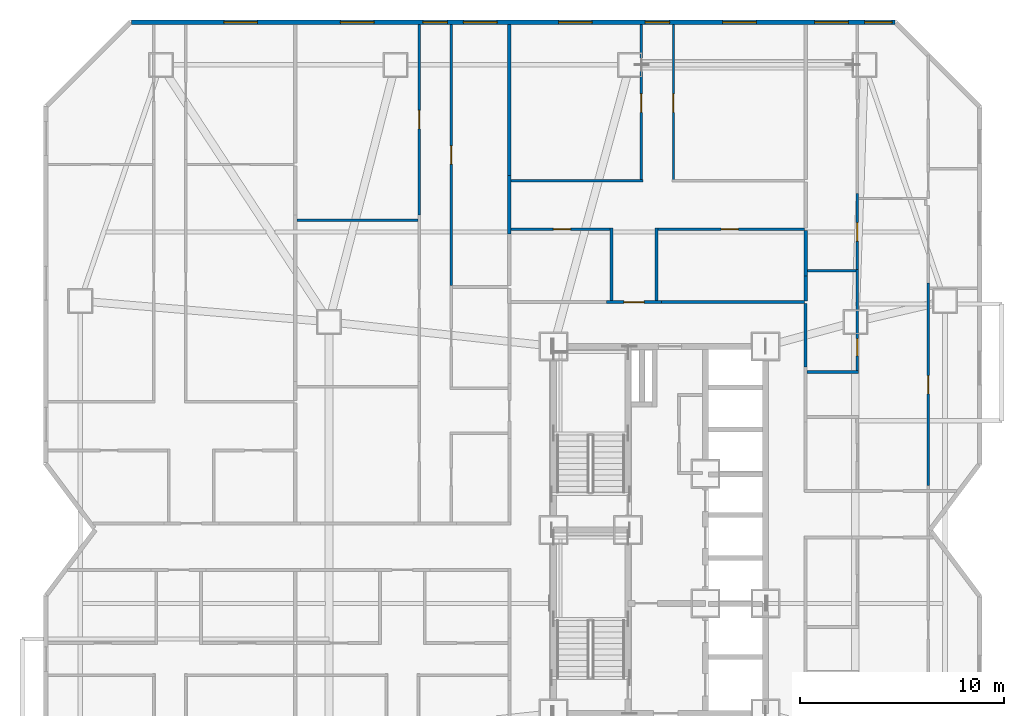
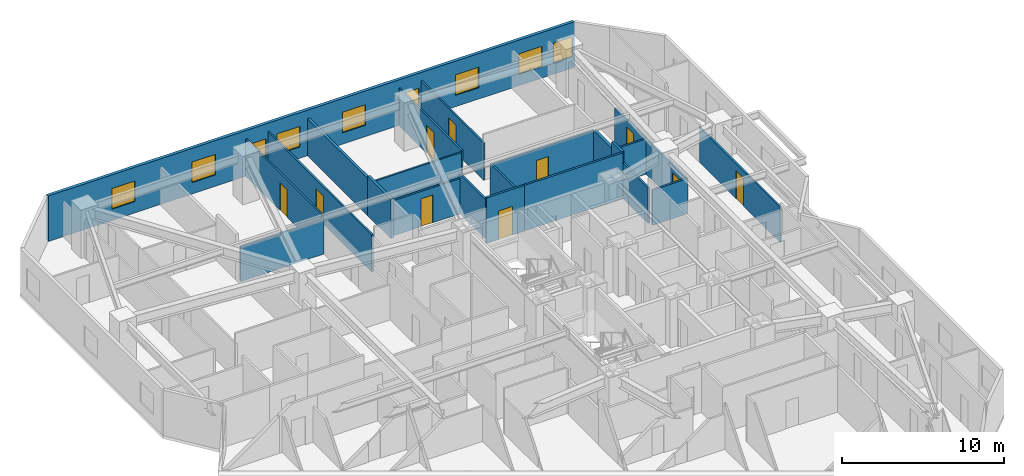
# One storey, part 12 of 14: 23 walls, 10 doors, 9 windows, 19 openings.
"""IFC4 building model written with IfcOpenShell, lengths in metres."""

from ifc_helpers import new_model, si_unit, direction, frame, frame_2d, origin, place, context, subcontext, project, spatial, rectangle, extrude, material, layer, layer_set, type_object, element, fill, save


model = new_model("IFC4")

# Units and contexts
model_context = context("Model", 3, precision=1e-05, world=origin(), true_north=direction((0.0, 1.0)))
body_context = subcontext(model_context, "Body", "Model", "MODEL_VIEW")
ifc_project = project(units=[si_unit("LENGTHUNIT", "METRE"), si_unit("AREAUNIT", "SQUARE_METRE"), si_unit("VOLUMEUNIT", "CUBIC_METRE"), si_unit("PLANEANGLEUNIT", "RADIAN"), si_unit("MASSUNIT", "GRAM", prefix="KILO")], contexts=[model_context])

# Site, building, storey
site_placement = place(None, origin())
site = spatial("IfcSite", under=ifc_project, at=site_placement, CompositionType="ELEMENT")
building_placement = place(site_placement, origin())
building = spatial("IfcBuilding", under=site, at=building_placement, Name="Khamvora Tower", CompositionType="ELEMENT")
storey_placement = place(building_placement, frame((0.0, 0.0, 40.60009765625)))
storey = spatial("IfcBuildingStorey", under=building, at=storey_placement, Name="L09", CompositionType="ELEMENT", Elevation=40.60009765625)

# Wall, opening, door
ifc_material_1 = material(Name="Fire-Rated Drywall and Steel Stud", Category="steel")
ifc_layer_1 = layer(ifc_material_1, 0.14990234375)
ifc_layer_set_1 = layer_set([ifc_layer_1], Name="Fire-Rated Drywall and Steel Stud")
wall_type_1 = type_object("IfcWallType", Name="WAL-CORR-150", PredefinedType="STANDARD", material=ifc_layer_set_1)
wall_1_placement = place(storey_placement, frame((31.60107421875, 39.1650390625, 0.0), z_axis=(0.0, 0.0, 1.0), x_axis=(1.0, 0.0, 0.0)))
wall_1 = element("IfcWall", 1, at=wall_1_placement, inside=storey, type_object=wall_type_1, Name="L09 interior partition wall 025", PredefinedType="STANDARD", context=body_context, shape_type="SweptSolid", body=[
    extrude(rectangle(XDim=2.697998046875, YDim=0.14990234375, at=frame_2d((1.34912109375, 0.0))), origin(), (0.0, 0.0, 1.0), 3.429931640625),
])
opening_1_placement = place(wall_1_placement, frame((0.84912109375, 0.0, 0.0)))
opening_1 = element("IfcOpeningElement", 2, at=opening_1_placement, cuts=wall_1, Name="Opening D-U1", PredefinedType="OPENING", context=body_context, shape_type="SweptSolid", body=[
    extrude(rectangle(XDim=1.0, YDim=2.14990234375, at=frame_2d((0.5, 1.074951171875))), frame((0.0, 0.0849609375, 0.0), z_axis=(0.0, -1.0, 0.0), x_axis=(1.0, 0.0, 0.0)), (0.0, 0.0, 1.0), 0.169921875),
])
ifc_material_2 = material(Name="Powder-Coated Steel and Hardwood Leaf", Category="steel")
door_type_1 = type_object("IfcDoorType", Name="DOR-UNIT-1000", OperationType="NOTDEFINED", PredefinedType="DOOR", material=ifc_material_2)
door_1_placement = place(opening_1_placement, origin())
door_1 = element("IfcDoor", 3, at=door_1_placement, inside=storey, type_object=door_type_1, Name="L09 interior door COR-09NAH", OperationType="SINGLE_SWING_LEFT", OverallHeight=2.14990234375, OverallWidth=1.0, PredefinedType="DOOR", context=body_context, shape_type="SweptSolid", body=[
    extrude(rectangle(XDim=1.0, YDim=2.14990234375, at=frame_2d((0.5, 1.074951171875))), frame((0.0, 0.02490234375, 0.0), z_axis=(0.0, -1.0, 0.0), x_axis=(1.0, 0.0, 0.0)), (0.0, 0.0, 1.0), 0.050048828125),
])
fill(opening_1, door_1)

# Walls
wall_2_placement = place(storey_placement, frame((34.299072265625, 39.1650390625, 0.0), z_axis=(0.0, 0.0, 1.0), x_axis=(1.0, 0.0, 0.0)))
element("IfcWall", 4, at=wall_2_placement, inside=storey, type_object=wall_type_1, Name="L09 interior partition wall 027", PredefinedType="STANDARD", context=body_context, shape_type="SweptSolid", body=[
    extrude(rectangle(XDim=7.0009765625, YDim=0.14990234375, at=frame_2d((3.50048828125, 0.0))), origin(), (0.0, 0.0, 1.0), 3.429931640625),
])
wall_3_placement = place(storey_placement, frame((41.364990234375, 39.10009765625, 0.0), z_axis=(0.0, 0.0, 1.0), x_axis=(0.0, -1.0, 0.0)))
element("IfcWall", 5, at=wall_3_placement, inside=storey, type_object=wall_type_1, Name="L09 interior partition wall 038", PredefinedType="STANDARD", context=body_context, shape_type="SweptSolid", body=[
    extrude(rectangle(XDim=3.110107421875, YDim=0.14990234375, at=frame_2d((1.55517578125, 0.0))), origin(), (0.0, 0.0, 1.0), 2.64697265625),
])
ifc_material_3 = material(Name="Acoustic Double-Stud Fire Wall", Category="gypsum")
ifc_layer_2 = layer(ifc_material_3, 0.179931640625)
ifc_layer_set_2 = layer_set([ifc_layer_2], Name="Acoustic Double-Stud Fire Wall")
wall_type_2 = type_object("IfcWallType", Name="WAL-CORR-180", PredefinedType="STANDARD", material=ifc_layer_set_2)
wall_4_placement = place(storey_placement, frame((26.8349609375, 45.3740234375, 0.0), z_axis=(0.0, 0.0, 1.0), x_axis=(0.0, -1.0, 0.0)))
element("IfcWall", 6, at=wall_4_placement, inside=storey, type_object=wall_type_2, Name="L09 interior partition wall 093", PredefinedType="STANDARD", context=body_context, shape_type="SweptSolid", body=[
    extrude(rectangle(XDim=2.8779296875, YDim=0.179931640625, at=frame_2d((1.43896484375, 0.0))), origin(), (0.0, 0.0, 1.0), 2.956787109375),
])
wall_5_placement = place(storey_placement, frame((26.8349609375, 52.7880859375, 0.0), z_axis=(0.0, 0.0, 1.0), x_axis=(0.0, -1.0, 0.0)))
element("IfcWall", 7, at=wall_5_placement, inside=storey, type_object=wall_type_2, Name="L09 interior partition wall 095", PredefinedType="STANDARD", context=body_context, shape_type="SweptSolid", body=[
    extrude(rectangle(XDim=7.4140625, YDim=0.179931640625, at=frame_2d((3.70703125, 0.0))), origin(), (0.0, 0.0, 1.0), 2.802978515625),
])
wall_6_placement = place(storey_placement, frame((41.364990234375, 42.679931640625, 0.0), z_axis=(0.0, 0.0, 1.0), x_axis=(0.0, -1.0, 0.0)))
element("IfcWall", 8, at=wall_6_placement, inside=storey, type_object=wall_type_2, Name="L09 interior partition wall 131", PredefinedType="STANDARD", context=body_context, shape_type="SweptSolid", body=[
    extrude(rectangle(XDim=2.222900390625, YDim=0.179931640625, at=frame_2d((1.111328125, 0.0))), origin(), (0.0, 0.0, 1.0), 2.956787109375),
])
wall_7_placement = place(storey_placement, frame((41.364990234375, 40.45703125, 0.0), z_axis=(0.0, 0.0, 1.0), x_axis=(0.0, -1.0, 0.0)))
element("IfcWall", 9, at=wall_7_placement, inside=storey, type_object=wall_type_2, Name="L09 interior partition wall 132", PredefinedType="STANDARD", context=body_context, shape_type="SweptSolid", body=[
    extrude(rectangle(XDim=1.22705078125, YDim=0.179931640625, at=frame_2d((0.613525390625, 0.0))), origin(), (0.0, 0.0, 1.0), 3.429931640625),
])

# Wall, openings, windows
ifc_material_4 = material(Name="Precast concrete C40/50", Category="concrete")
ifc_layer_3 = layer(ifc_material_4, 0.219970703125)
ifc_layer_set_3 = layer_set([ifc_layer_3], Name="Precast concrete C40/50")
wall_type_3 = type_object("IfcWallType", Name="WAL-EXT-220", PredefinedType="STANDARD", material=ifc_layer_set_3)
wall_8_placement = place(storey_placement, frame((8.31494140625, 52.889892578125, 0.0), z_axis=(0.0, 0.0, 1.0), x_axis=(1.0, 0.0, 0.0)))
wall_8 = element("IfcWall", 10, at=wall_8_placement, inside=storey, type_object=wall_type_3, Name="L09 exterior facade wall 07.1", PredefinedType="STANDARD", context=body_context, shape_type="SweptSolid", body=[
    extrude(rectangle(XDim=37.43896484375, YDim=0.219970703125, at=frame_2d((18.719482421875, 0.0))), origin(), (0.0, 0.0, 1.0), 3.429931640625),
])
opening_2_placement = place(wall_8_placement, frame((4.52392578125, 0.0, 0.85009765625)))
opening_2 = element("IfcOpeningElement", 11, at=opening_2_placement, cuts=wall_8, Name="Opening WN-06", PredefinedType="OPENING", context=body_context, shape_type="SweptSolid", body=[
    extrude(rectangle(XDim=1.64990234375, YDim=1.550048828125, at=frame_2d((0.824951171875, 0.77490234375))), frame((0.0, 0.119873046875, 0.0), z_axis=(0.0, -1.0, 0.0), x_axis=(1.0, 0.0, 0.0)), (0.0, 0.0, 1.0), 0.239990234375),
])
opening_3_placement = place(wall_8_placement, frame((16.27294921875, 0.0, 0.85009765625)))
opening_3 = element("IfcOpeningElement", 12, at=opening_3_placement, cuts=wall_8, Name="Opening WN-06", PredefinedType="OPENING", context=body_context, shape_type="SweptSolid", body=[
    extrude(rectangle(XDim=1.64990234375, YDim=1.550048828125, at=frame_2d((0.824951171875, 0.77490234375))), frame((0.0, 0.119873046875, 0.0), z_axis=(0.0, -1.0, 0.0), x_axis=(1.0, 0.0, 0.0)), (0.0, 0.0, 1.0), 0.239990234375),
])
opening_4_placement = place(wall_8_placement, frame((14.284912109375, 0.0, 0.800048828125)))
opening_4 = element("IfcOpeningElement", 13, at=opening_4_placement, cuts=wall_8, Name="Opening WN-03", PredefinedType="OPENING", context=body_context, shape_type="SweptSolid", body=[
    extrude(rectangle(XDim=1.199951171875, YDim=1.5, at=frame_2d((0.60009765625, 0.75))), frame((0.0, 0.119873046875, 0.0), z_axis=(0.0, -1.0, 0.0), x_axis=(1.0, 0.0, 0.0)), (0.0, 0.0, 1.0), 0.239990234375),
])
opening_5_placement = place(wall_8_placement, frame((10.238037109375, 0.0, 0.85009765625)))
opening_5 = element("IfcOpeningElement", 14, at=opening_5_placement, cuts=wall_8, Name="Opening WN-06", PredefinedType="OPENING", context=body_context, shape_type="SweptSolid", body=[
    extrude(rectangle(XDim=1.64990234375, YDim=1.550048828125, at=frame_2d((0.824951171875, 0.77490234375))), frame((0.0, 0.119873046875, 0.0), z_axis=(0.0, -1.0, 0.0), x_axis=(1.0, 0.0, 0.0)), (0.0, 0.0, 1.0), 0.239990234375),
])
opening_6_placement = place(wall_8_placement, frame((25.18505859375, 0.0, 0.800048828125)))
opening_6 = element("IfcOpeningElement", 15, at=opening_6_placement, cuts=wall_8, Name="Opening WN-03", PredefinedType="OPENING", context=body_context, shape_type="SweptSolid", body=[
    extrude(rectangle(XDim=1.199951171875, YDim=1.5, at=frame_2d((0.60009765625, 0.75))), frame((0.0, 0.119873046875, 0.0), z_axis=(0.0, -1.0, 0.0), x_axis=(1.0, 0.0, 0.0)), (0.0, 0.0, 1.0), 0.239990234375),
])
opening_7_placement = place(wall_8_placement, frame((20.93505859375, 0.0, 0.85009765625)))
opening_7 = element("IfcOpeningElement", 16, at=opening_7_placement, cuts=wall_8, Name="Opening WN-06", PredefinedType="OPENING", context=body_context, shape_type="SweptSolid", body=[
    extrude(rectangle(XDim=1.64990234375, YDim=1.550048828125, at=frame_2d((0.824951171875, 0.77490234375))), frame((0.0, 0.119873046875, 0.0), z_axis=(0.0, -1.0, 0.0), x_axis=(1.0, 0.0, 0.0)), (0.0, 0.0, 1.0), 0.239990234375),
])
opening_8_placement = place(wall_8_placement, frame((28.985107421875, 0.0, 0.85009765625)))
opening_8 = element("IfcOpeningElement", 17, at=opening_8_placement, cuts=wall_8, Name="Opening WN-06", PredefinedType="OPENING", context=body_context, shape_type="SweptSolid", body=[
    extrude(rectangle(XDim=1.64990234375, YDim=1.550048828125, at=frame_2d((0.824951171875, 0.77490234375))), frame((0.0, 0.119873046875, 0.0), z_axis=(0.0, -1.0, 0.0), x_axis=(1.0, 0.0, 0.0)), (0.0, 0.0, 1.0), 0.239990234375),
])
opening_9_placement = place(wall_8_placement, frame((33.489990234375, 0.0, 0.85009765625)))
opening_9 = element("IfcOpeningElement", 18, at=opening_9_placement, cuts=wall_8, Name="Opening WN-06", PredefinedType="OPENING", context=body_context, shape_type="SweptSolid", body=[
    extrude(rectangle(XDim=1.64990234375, YDim=1.550048828125, at=frame_2d((0.824951171875, 0.77490234375))), frame((0.0, 0.119873046875, 0.0), z_axis=(0.0, -1.0, 0.0), x_axis=(1.0, 0.0, 0.0)), (0.0, 0.0, 1.0), 0.239990234375),
])
opening_10_placement = place(wall_8_placement, frame((35.94189453125, 0.0, 0.85009765625)))
opening_10 = element("IfcOpeningElement", 19, at=opening_10_placement, cuts=wall_8, Name="Opening WN-07", PredefinedType="OPENING", context=body_context, shape_type="SweptSolid", body=[
    extrude(rectangle(XDim=1.35009765625, YDim=1.5, at=frame_2d((0.675048828125, 0.75))), frame((0.0, 0.119873046875, 0.0), z_axis=(0.0, -1.0, 0.0), x_axis=(1.0, 0.0, 0.0)), (0.0, 0.0, 1.0), 0.239990234375),
])
ifc_material_5 = material(Name="Low-E Laminated Double Glazing", Category="glass")
window_type_1 = type_object("IfcWindowType", Name="WIN-VIS-1200x1500", PartitioningType="SINGLE_PANEL", PredefinedType="WINDOW", material=ifc_material_5)
window_1_placement = place(opening_4_placement, origin())
window_1 = element("IfcWindow", 20, at=window_1_placement, inside=storey, type_object=window_type_1, Name="L09 vision window 07.1.03", OverallHeight=1.5, OverallWidth=1.199951171875, PartitioningType="SINGLE_PANEL", PredefinedType="WINDOW", context=body_context, shape_type="SweptSolid", body=[
    extrude(rectangle(XDim=1.199951171875, YDim=1.5, at=frame_2d((0.60009765625, 0.75))), frame((0.0, 0.030029296875, 0.0), z_axis=(0.0, -1.0, 0.0), x_axis=(1.0, 0.0, 0.0)), (0.0, 0.0, 1.0), 0.06005859375),
])
fill(opening_4, window_1)
window_2_placement = place(opening_6_placement, origin())
window_2 = element("IfcWindow", 21, at=window_2_placement, inside=storey, type_object=window_type_1, Name="L09 vision window 07.1.05", OverallHeight=1.5, OverallWidth=1.199951171875, PartitioningType="SINGLE_PANEL", PredefinedType="WINDOW", context=body_context, shape_type="SweptSolid", body=[
    extrude(rectangle(XDim=1.199951171875, YDim=1.5, at=frame_2d((0.60009765625, 0.75))), frame((0.0, 0.030029296875, 0.0), z_axis=(0.0, -1.0, 0.0), x_axis=(1.0, 0.0, 0.0)), (0.0, 0.0, 1.0), 0.06005859375),
])
fill(opening_6, window_2)
window_type_2 = type_object("IfcWindowType", Name="WIN-VIS-1350x1500", PartitioningType="SINGLE_PANEL", PredefinedType="WINDOW", material=ifc_material_5)
window_3_placement = place(opening_10_placement, origin())
window_3 = element("IfcWindow", 22, at=window_3_placement, inside=storey, type_object=window_type_2, Name="L09 vision window 07.1.09", OverallHeight=1.5, OverallWidth=1.35009765625, PartitioningType="SINGLE_PANEL", PredefinedType="WINDOW", context=body_context, shape_type="SweptSolid", body=[
    extrude(rectangle(XDim=1.35009765625, YDim=1.5, at=frame_2d((0.675048828125, 0.75))), frame((0.0, 0.030029296875, 0.0), z_axis=(0.0, -1.0, 0.0), x_axis=(1.0, 0.0, 0.0)), (0.0, 0.0, 1.0), 0.06005859375),
])
fill(opening_10, window_3)
window_type_3 = type_object("IfcWindowType", Name="WIN-VIS-1650x1550", PartitioningType="SINGLE_PANEL", PredefinedType="WINDOW", material=ifc_material_5)
window_4_placement = place(opening_2_placement, origin())
window_4 = element("IfcWindow", 23, at=window_4_placement, inside=storey, type_object=window_type_3, Name="L09 vision window 07.1.01", OverallHeight=1.550048828125, OverallWidth=1.64990234375, PartitioningType="SINGLE_PANEL", PredefinedType="WINDOW", context=body_context, shape_type="SweptSolid", body=[
    extrude(rectangle(XDim=1.64990234375, YDim=1.550048828125, at=frame_2d((0.824951171875, 0.77490234375))), frame((0.0, 0.030029296875, 0.0), z_axis=(0.0, -1.0, 0.0), x_axis=(1.0, 0.0, 0.0)), (0.0, 0.0, 1.0), 0.06005859375),
])
fill(opening_2, window_4)
window_5_placement = place(opening_3_placement, origin())
window_5 = element("IfcWindow", 24, at=window_5_placement, inside=storey, type_object=window_type_3, Name="L09 vision window 07.1.02", OverallHeight=1.550048828125, OverallWidth=1.64990234375, PartitioningType="SINGLE_PANEL", PredefinedType="WINDOW", context=body_context, shape_type="SweptSolid", body=[
    extrude(rectangle(XDim=1.64990234375, YDim=1.550048828125, at=frame_2d((0.824951171875, 0.77490234375))), frame((0.0, 0.030029296875, 0.0), z_axis=(0.0, -1.0, 0.0), x_axis=(1.0, 0.0, 0.0)), (0.0, 0.0, 1.0), 0.06005859375),
])
fill(opening_3, window_5)
window_6_placement = place(opening_5_placement, origin())
window_6 = element("IfcWindow", 25, at=window_6_placement, inside=storey, type_object=window_type_3, Name="L09 vision window 07.1.04", OverallHeight=1.550048828125, OverallWidth=1.64990234375, PartitioningType="SINGLE_PANEL", PredefinedType="WINDOW", context=body_context, shape_type="SweptSolid", body=[
    extrude(rectangle(XDim=1.64990234375, YDim=1.550048828125, at=frame_2d((0.824951171875, 0.77490234375))), frame((0.0, 0.030029296875, 0.0), z_axis=(0.0, -1.0, 0.0), x_axis=(1.0, 0.0, 0.0)), (0.0, 0.0, 1.0), 0.06005859375),
])
fill(opening_5, window_6)
window_7_placement = place(opening_7_placement, origin())
window_7 = element("IfcWindow", 26, at=window_7_placement, inside=storey, type_object=window_type_3, Name="L09 vision window 07.1.06", OverallHeight=1.550048828125, OverallWidth=1.64990234375, PartitioningType="SINGLE_PANEL", PredefinedType="WINDOW", context=body_context, shape_type="SweptSolid", body=[
    extrude(rectangle(XDim=1.64990234375, YDim=1.550048828125, at=frame_2d((0.824951171875, 0.77490234375))), frame((0.0, 0.030029296875, 0.0), z_axis=(0.0, -1.0, 0.0), x_axis=(1.0, 0.0, 0.0)), (0.0, 0.0, 1.0), 0.06005859375),
])
fill(opening_7, window_7)
window_8_placement = place(opening_8_placement, origin())
window_8 = element("IfcWindow", 27, at=window_8_placement, inside=storey, type_object=window_type_3, Name="L09 vision window 07.1.07", OverallHeight=1.550048828125, OverallWidth=1.64990234375, PartitioningType="SINGLE_PANEL", PredefinedType="WINDOW", context=body_context, shape_type="SweptSolid", body=[
    extrude(rectangle(XDim=1.64990234375, YDim=1.550048828125, at=frame_2d((0.824951171875, 0.77490234375))), frame((0.0, 0.030029296875, 0.0), z_axis=(0.0, -1.0, 0.0), x_axis=(1.0, 0.0, 0.0)), (0.0, 0.0, 1.0), 0.06005859375),
])
fill(opening_8, window_8)
window_9_placement = place(opening_9_placement, origin())
window_9 = element("IfcWindow", 28, at=window_9_placement, inside=storey, type_object=window_type_3, Name="L09 vision window 07.1.08", OverallHeight=1.550048828125, OverallWidth=1.64990234375, PartitioningType="SINGLE_PANEL", PredefinedType="WINDOW", context=body_context, shape_type="SweptSolid", body=[
    extrude(rectangle(XDim=1.64990234375, YDim=1.550048828125, at=frame_2d((0.824951171875, 0.77490234375))), frame((0.0, 0.030029296875, 0.0), z_axis=(0.0, -1.0, 0.0), x_axis=(1.0, 0.0, 0.0)), (0.0, 0.0, 1.0), 0.06005859375),
])
fill(opening_9, window_9)

# Wall, opening, door
ifc_material_6 = material(Name="Gypsum Plasterboard Partition", Category="gypsum")
ifc_layer_4 = layer(ifc_material_6, 0.1201171875)
ifc_layer_set_4 = layer_set([ifc_layer_4], Name="Gypsum Plasterboard Partition")
wall_type_4 = type_object("IfcWallType", Name="WAL-PART-120", PredefinedType="PARTITIONING", material=ifc_layer_set_4)
wall_9_placement = place(storey_placement, frame((23.989990234375, 39.970947265625, 0.0), z_axis=(0.0, 0.0, 1.0), x_axis=(0.0, 1.0, 0.0)))
wall_9 = element("IfcWall", 29, at=wall_9_placement, inside=storey, type_object=wall_type_4, Name="L09 interior partition wall 091", PredefinedType="PARTITIONING", context=body_context, shape_type="SweptSolid", body=[
    extrude(rectangle(XDim=12.817138671875, YDim=0.1201171875, at=frame_2d((6.40869140625, 0.0))), origin(), (0.0, 0.0, 1.0), 2.802978515625),
])
opening_11_placement = place(wall_9_placement, frame((5.9580078125, 0.0, 0.0)))
opening_11 = element("IfcOpeningElement", 30, at=opening_11_placement, cuts=wall_9, Name="Opening D-RM1", PredefinedType="OPENING", context=body_context, shape_type="SweptSolid", body=[
    extrude(rectangle(XDim=0.89990234375, YDim=2.10009765625, at=frame_2d((0.449951171875, 1.050048828125))), frame((0.0, 0.070068359375, 0.0), z_axis=(0.0, -1.0, 0.0), x_axis=(1.0, 0.0, 0.0)), (0.0, 0.0, 1.0), 0.14013671875),
])
door_type_2 = type_object("IfcDoorType", Name="DOR-ROOM-900", OperationType="NOTDEFINED", PredefinedType="DOOR", material=ifc_material_2)
door_2_placement = place(opening_11_placement, origin())
door_2 = element("IfcDoor", 31, at=door_2_placement, inside=storey, type_object=door_type_2, Name="L09 interior door 09WB2W2-09WB2H", OperationType="SINGLE_SWING_RIGHT", OverallHeight=2.10009765625, OverallWidth=0.89990234375, PredefinedType="DOOR", context=body_context, shape_type="SweptSolid", body=[
    extrude(rectangle(XDim=0.89990234375, YDim=2.10009765625, at=frame_2d((0.449951171875, 1.050048828125))), frame((0.0, 0.02490234375, 0.0), z_axis=(0.0, -1.0, 0.0), x_axis=(1.0, 0.0, 0.0)), (0.0, 0.0, 1.0), 0.050048828125),
])
fill(opening_11, door_2)

wall_10_placement = place(storey_placement, frame((22.409912109375, 43.44091796875, 0.0), z_axis=(0.0, 0.0, 1.0), x_axis=(0.0, 1.0, 0.0)))
wall_10 = element("IfcWall", 32, at=wall_10_placement, inside=storey, type_object=wall_type_4, Name="L09 interior partition wall 102", PredefinedType="PARTITIONING", context=body_context, shape_type="SweptSolid", body=[
    extrude(rectangle(XDim=9.34716796875, YDim=0.1201171875, at=frame_2d((4.673583984375, 0.0))), origin(), (0.0, 0.0, 1.0), 2.802978515625),
])
opening_12_placement = place(wall_10_placement, frame((4.222900390625, 0.0, 0.0)))
opening_12 = element("IfcOpeningElement", 33, at=opening_12_placement, cuts=wall_10, Name="Opening D-RM1", PredefinedType="OPENING", context=body_context, shape_type="SweptSolid", body=[
    extrude(rectangle(XDim=0.89990234375, YDim=2.10009765625, at=frame_2d((0.449951171875, 1.050048828125))), frame((0.0, 0.070068359375, 0.0), z_axis=(0.0, -1.0, 0.0), x_axis=(1.0, 0.0, 0.0)), (0.0, 0.0, 1.0), 0.14013671875),
])
door_3_placement = place(opening_12_placement, origin())
door_3 = element("IfcDoor", 34, at=door_3_placement, inside=storey, type_object=door_type_2, Name="L09 interior door 09WB2H-09WB2R3", OperationType="SINGLE_SWING_LEFT", OverallHeight=2.10009765625, OverallWidth=0.89990234375, PredefinedType="DOOR", context=body_context, shape_type="SweptSolid", body=[
    extrude(rectangle(XDim=0.89990234375, YDim=2.10009765625, at=frame_2d((0.449951171875, 1.050048828125))), frame((0.0, 0.02490234375, 0.0), z_axis=(0.0, -1.0, 0.0), x_axis=(1.0, 0.0, 0.0)), (0.0, 0.0, 1.0), 0.050048828125),
])
fill(opening_12, door_3)

# Walls
wall_11_placement = place(storey_placement, frame((16.427978515625, 43.19189453125, 0.0), z_axis=(0.0, 0.0, 1.0), x_axis=(1.0, 0.0, 0.0)))
element("IfcWall", 35, at=wall_11_placement, inside=storey, type_object=wall_type_4, Name="L09 interior partition wall 105", PredefinedType="PARTITIONING", context=body_context, shape_type="SweptSolid", body=[
    extrude(rectangle(XDim=5.927978515625, YDim=0.1201171875, at=frame_2d((2.9638671875, 0.0))), origin(), (0.0, 0.0, 1.0), 2.64697265625),
])
wall_12_placement = place(storey_placement, frame((26.9169921875, 45.125, 0.0), z_axis=(0.0, 0.0, 1.0), x_axis=(1.0, 0.0, 0.0)))
element("IfcWall", 36, at=wall_12_placement, inside=storey, type_object=wall_type_4, Name="L09 interior partition wall 126", PredefinedType="PARTITIONING", context=body_context, shape_type="SweptSolid", body=[
    extrude(rectangle(XDim=6.462890625, YDim=0.1201171875, at=frame_2d((3.2314453125, 0.0))), origin(), (0.0, 0.0, 1.0), 2.64697265625),
])

# Wall, opening, door
wall_13_placement = place(storey_placement, frame((33.31494140625, 45.06005859375, 0.0), z_axis=(0.0, 0.0, 1.0), x_axis=(0.0, 1.0, 0.0)))
wall_13 = element("IfcWall", 37, at=wall_13_placement, inside=storey, type_object=wall_type_4, Name="L09 interior partition wall 127", PredefinedType="PARTITIONING", context=body_context, shape_type="SweptSolid", body=[
    extrude(rectangle(XDim=7.72802734375, YDim=0.1201171875, at=frame_2d((3.864013671875, 0.0))), origin(), (0.0, 0.0, 1.0), 2.802978515625),
])
opening_13_placement = place(wall_13_placement, frame((3.4140625, 0.0, 0.0)))
opening_13 = element("IfcOpeningElement", 38, at=opening_13_placement, cuts=wall_13, Name="Opening D-RM1", PredefinedType="OPENING", context=body_context, shape_type="SweptSolid", body=[
    extrude(rectangle(XDim=0.89990234375, YDim=2.10009765625, at=frame_2d((0.449951171875, 1.050048828125))), frame((0.0, 0.070068359375, 0.0), z_axis=(0.0, -1.0, 0.0), x_axis=(1.0, 0.0, 0.0)), (0.0, 0.0, 1.0), 0.14013671875),
])
door_4_placement = place(opening_13_placement, origin())
door_4 = element("IfcDoor", 39, at=door_4_placement, inside=storey, type_object=door_type_2, Name="L09 interior door 09NAH-09NAR1", OperationType="SINGLE_SWING_LEFT", OverallHeight=2.10009765625, OverallWidth=0.89990234375, PredefinedType="DOOR", context=body_context, shape_type="SweptSolid", body=[
    extrude(rectangle(XDim=0.89990234375, YDim=2.10009765625, at=frame_2d((0.449951171875, 1.050048828125))), frame((0.0, 0.02490234375, 0.0), z_axis=(0.0, -1.0, 0.0), x_axis=(1.0, 0.0, 0.0)), (0.0, 0.0, 1.0), 0.050048828125),
])
fill(opening_13, door_4)

wall_14_placement = place(storey_placement, frame((34.885009765625, 52.7880859375, 0.0), z_axis=(0.0, 0.0, 1.0), x_axis=(0.0, -1.0, 0.0)))
wall_14 = element("IfcWall", 40, at=wall_14_placement, inside=storey, type_object=wall_type_4, Name="L09 interior partition wall 128", PredefinedType="PARTITIONING", context=body_context, shape_type="SweptSolid", body=[
    extrude(rectangle(XDim=7.72802734375, YDim=0.1201171875, at=frame_2d((3.864013671875, 0.0))), origin(), (0.0, 0.0, 1.0), 2.802978515625),
])
opening_14_placement = place(wall_14_placement, frame((3.4140625, 0.0, 0.0)))
opening_14 = element("IfcOpeningElement", 41, at=opening_14_placement, cuts=wall_14, Name="Opening D-RM1", PredefinedType="OPENING", context=body_context, shape_type="SweptSolid", body=[
    extrude(rectangle(XDim=0.89990234375, YDim=2.10009765625, at=frame_2d((0.449951171875, 1.050048828125))), frame((0.0, 0.070068359375, 0.0), z_axis=(0.0, -1.0, 0.0), x_axis=(1.0, 0.0, 0.0)), (0.0, 0.0, 1.0), 0.14013671875),
])
door_5_placement = place(opening_14_placement, origin())
door_5 = element("IfcDoor", 42, at=door_5_placement, inside=storey, type_object=door_type_2, Name="L09 interior door 09NAH-09NAR2", OperationType="SINGLE_SWING_LEFT", OverallHeight=2.10009765625, OverallWidth=0.89990234375, PredefinedType="DOOR", context=body_context, shape_type="SweptSolid", body=[
    extrude(rectangle(XDim=0.89990234375, YDim=2.10009765625, at=frame_2d((0.449951171875, 1.050048828125))), frame((0.0, 0.02490234375, 0.0), z_axis=(0.0, -1.0, 0.0), x_axis=(1.0, 0.0, 0.0)), (0.0, 0.0, 1.0), 0.050048828125),
])
fill(opening_14, door_5)

wall_15_placement = place(storey_placement, frame((43.89501953125, 44.498046875, 0.0), z_axis=(0.0, 0.0, 1.0), x_axis=(0.0, -1.0, 0.0)))
wall_15 = element("IfcWall", 43, at=wall_15_placement, inside=storey, type_object=wall_type_4, Name="L09 interior partition wall 149", PredefinedType="PARTITIONING", context=body_context, shape_type="SweptSolid", body=[
    extrude(rectangle(XDim=3.72705078125, YDim=0.1201171875, at=frame_2d((1.863525390625, 0.0))), origin(), (0.0, 0.0, 1.0), 2.64697265625),
])
opening_15_placement = place(wall_15_placement, frame((1.43408203125, 0.0, 0.0)))
opening_15 = element("IfcOpeningElement", 44, at=opening_15_placement, cuts=wall_15, Name="Opening D-RM1", PredefinedType="OPENING", context=body_context, shape_type="SweptSolid", body=[
    extrude(rectangle(XDim=0.89990234375, YDim=2.10009765625, at=frame_2d((0.449951171875, 1.050048828125))), frame((0.0, 0.070068359375, 0.0), z_axis=(0.0, -1.0, 0.0), x_axis=(1.0, 0.0, 0.0)), (0.0, 0.0, 1.0), 0.14013671875),
])
door_6_placement = place(opening_15_placement, origin())
door_6 = element("IfcDoor", 45, at=door_6_placement, inside=storey, type_object=door_type_2, Name="L09 interior door 09EBW2-09EBH", OperationType="SINGLE_SWING_LEFT", OverallHeight=2.10009765625, OverallWidth=0.89990234375, PredefinedType="DOOR", context=body_context, shape_type="SweptSolid", body=[
    extrude(rectangle(XDim=0.89990234375, YDim=2.10009765625, at=frame_2d((0.449951171875, 1.050048828125))), frame((0.0, 0.02490234375, 0.0), z_axis=(0.0, -1.0, 0.0), x_axis=(1.0, 0.0, 0.0)), (0.0, 0.0, 1.0), 0.050048828125),
])
fill(opening_15, door_6)

wall_16_placement = place(storey_placement, frame((47.375, 40.10595703125, 0.0), z_axis=(0.0, 0.0, 1.0), x_axis=(0.0, -1.0, 0.0)))
wall_16 = element("IfcWall", 46, at=wall_16_placement, inside=storey, type_object=wall_type_4, Name="L09 interior partition wall 158", PredefinedType="PARTITIONING", context=body_context, shape_type="SweptSolid", body=[
    extrude(rectangle(XDim=9.93603515625, YDim=0.1201171875, at=frame_2d((4.968017578125, 0.0))), origin(), (0.0, 0.0, 1.0), 2.64697265625),
])
opening_16_placement = place(wall_16_placement, frame((4.5390625, 0.0, 0.0)))
opening_16 = element("IfcOpeningElement", 47, at=opening_16_placement, cuts=wall_16, Name="Opening D-RM1", PredefinedType="OPENING", context=body_context, shape_type="SweptSolid", body=[
    extrude(rectangle(XDim=0.89990234375, YDim=2.10009765625, at=frame_2d((0.449951171875, 1.050048828125))), frame((0.0, 0.070068359375, 0.0), z_axis=(0.0, -1.0, 0.0), x_axis=(1.0, 0.0, 0.0)), (0.0, 0.0, 1.0), 0.14013671875),
])
door_7_placement = place(opening_16_placement, origin())
door_7 = element("IfcDoor", 48, at=door_7_placement, inside=storey, type_object=door_type_2, Name="L09 interior door 09EBH-09EBL", OperationType="SINGLE_SWING_LEFT", OverallHeight=2.10009765625, OverallWidth=0.89990234375, PredefinedType="DOOR", context=body_context, shape_type="SweptSolid", body=[
    extrude(rectangle(XDim=0.89990234375, YDim=2.10009765625, at=frame_2d((0.449951171875, 1.050048828125))), frame((0.0, 0.02490234375, 0.0), z_axis=(0.0, -1.0, 0.0), x_axis=(1.0, 0.0, 0.0)), (0.0, 0.0, 1.0), 0.050048828125),
])
fill(opening_16, door_7)

# Wall
ifc_material_7 = material(Name="Moisture-Resistant Plasterboard Partition", Category="gypsum")
ifc_layer_5 = layer(ifc_material_7, 0.135009765625)
ifc_layer_set_5 = layer_set([ifc_layer_5], Name="Moisture-Resistant Plasterboard Partition")
wall_type_5 = type_object("IfcWallType", Name="WAL-WET-135", PredefinedType="PARTITIONING", material=ifc_layer_set_5)
wall_17_placement = place(storey_placement, frame((31.85009765625, 39.23193359375, 0.0), z_axis=(0.0, 0.0, 1.0), x_axis=(0.0, 1.0, 0.0)))
element("IfcWall", 49, at=wall_17_placement, inside=storey, type_object=wall_type_5, Name="L09 interior partition wall 122", PredefinedType="PARTITIONING", context=body_context, shape_type="SweptSolid", body=[
    extrude(rectangle(XDim=3.578125, YDim=0.135009765625, at=frame_2d((1.7890625, 0.0))), origin(), (0.0, 0.0, 1.0), 2.956787109375),
])

# Wall, opening, door
wall_18_placement = place(storey_placement, frame((31.9150390625, 42.7451171875, 0.0), z_axis=(0.0, 0.0, 1.0), x_axis=(-1.0, 0.0, 0.0)))
wall_18 = element("IfcWall", 50, at=wall_18_placement, inside=storey, type_object=wall_type_5, Name="L09 interior partition wall 123", PredefinedType="PARTITIONING", context=body_context, shape_type="SweptSolid", body=[
    extrude(rectangle(XDim=4.998046875, YDim=0.135009765625, at=frame_2d((2.4990234375, 0.0))), origin(), (0.0, 0.0, 1.0), 2.64697265625),
])
opening_17_placement = place(wall_18_placement, frame((2.073974609375, 0.0, 0.0)))
opening_17 = element("IfcOpeningElement", 51, at=opening_17_placement, cuts=wall_18, Name="Opening D-WC1", PredefinedType="OPENING", context=body_context, shape_type="SweptSolid", body=[
    extrude(rectangle(XDim=0.85009765625, YDim=2.10009765625, at=frame_2d((0.425048828125, 1.050048828125))), frame((0.0, 0.077392578125, 0.0), z_axis=(0.0, -1.0, 0.0), x_axis=(1.0, 0.0, 0.0)), (0.0, 0.0, 1.0), 0.155029296875),
])
door_type_3 = type_object("IfcDoorType", Name="DOR-WET-850", OperationType="NOTDEFINED", PredefinedType="DOOR", material=ifc_material_2)
door_8_placement = place(opening_17_placement, origin())
door_8 = element("IfcDoor", 52, at=door_8_placement, inside=storey, type_object=door_type_3, Name="L09 interior door 09NAH-09NAB", OperationType="SINGLE_SWING_RIGHT", OverallHeight=2.10009765625, OverallWidth=0.85009765625, PredefinedType="DOOR", context=body_context, shape_type="SweptSolid", body=[
    extrude(rectangle(XDim=0.85009765625, YDim=2.10009765625, at=frame_2d((0.425048828125, 1.050048828125))), frame((0.0, 0.02490234375, 0.0), z_axis=(0.0, -1.0, 0.0), x_axis=(1.0, 0.0, 0.0)), (0.0, 0.0, 1.0), 0.050048828125),
])
fill(opening_17, door_8)

wall_19_placement = place(storey_placement, frame((41.300048828125, 42.7451171875, 0.0), z_axis=(0.0, 0.0, 1.0), x_axis=(-1.0, 0.0, 0.0)))
wall_19 = element("IfcWall", 53, at=wall_19_placement, inside=storey, type_object=wall_type_5, Name="L09 interior partition wall 124", PredefinedType="PARTITIONING", context=body_context, shape_type="SweptSolid", body=[
    extrude(rectangle(XDim=7.31494140625, YDim=0.135009765625, at=frame_2d((3.657470703125, 0.0))), origin(), (0.0, 0.0, 1.0), 2.956787109375),
])
opening_18_placement = place(wall_19_placement, frame((3.23291015625, 0.0, 0.0)))
opening_18 = element("IfcOpeningElement", 54, at=opening_18_placement, cuts=wall_19, Name="Opening D-RM2", PredefinedType="OPENING", context=body_context, shape_type="SweptSolid", body=[
    extrude(rectangle(XDim=0.85009765625, YDim=2.10009765625, at=frame_2d((0.425048828125, 1.050048828125))), frame((0.0, 0.077392578125, 0.0), z_axis=(0.0, -1.0, 0.0), x_axis=(1.0, 0.0, 0.0)), (0.0, 0.0, 1.0), 0.155029296875),
])
door_type_4 = type_object("IfcDoorType", Name="DOR-ROOM-850", OperationType="NOTDEFINED", PredefinedType="DOOR", material=ifc_material_2)
door_9_placement = place(opening_18_placement, origin())
door_9 = element("IfcDoor", 55, at=door_9_placement, inside=storey, type_object=door_type_4, Name="L09 interior door 09NAH-09NAK", OperationType="SINGLE_SWING_LEFT", OverallHeight=2.10009765625, OverallWidth=0.85009765625, PredefinedType="DOOR", context=body_context, shape_type="SweptSolid", body=[
    extrude(rectangle(XDim=0.85009765625, YDim=2.10009765625, at=frame_2d((0.425048828125, 1.050048828125))), frame((0.0, 0.02490234375, 0.0), z_axis=(0.0, -1.0, 0.0), x_axis=(1.0, 0.0, 0.0)), (0.0, 0.0, 1.0), 0.050048828125),
])
fill(opening_18, door_9)

# Walls
wall_20_placement = place(storey_placement, frame((34.050048828125, 42.81005859375, 0.0), z_axis=(0.0, 0.0, 1.0), x_axis=(0.0, -1.0, 0.0)))
element("IfcWall", 56, at=wall_20_placement, inside=storey, type_object=wall_type_5, Name="L09 interior partition wall 125", PredefinedType="PARTITIONING", context=body_context, shape_type="SweptSolid", body=[
    extrude(rectangle(XDim=3.578125, YDim=0.135009765625, at=frame_2d((1.7890625, 0.0))), origin(), (0.0, 0.0, 1.0), 2.956787109375),
])
wall_21_placement = place(storey_placement, frame((43.830078125, 40.7060546875, 0.0), z_axis=(0.0, 0.0, 1.0), x_axis=(-1.0, 0.0, 0.0)))
element("IfcWall", 57, at=wall_21_placement, inside=storey, type_object=wall_type_5, Name="L09 interior partition wall 151", PredefinedType="PARTITIONING", context=body_context, shape_type="SweptSolid", body=[
    extrude(rectangle(XDim=2.383056640625, YDim=0.135009765625, at=frame_2d((1.19140625, 0.0))), origin(), (0.0, 0.0, 1.0), 2.64697265625),
])
wall_22_placement = place(storey_placement, frame((41.431884765625, 35.740966796875, 0.0), z_axis=(0.0, 0.0, 1.0), x_axis=(1.0, 0.0, 0.0)))
element("IfcWall", 58, at=wall_22_placement, inside=storey, type_object=wall_type_5, Name="L09 interior partition wall 156", PredefinedType="PARTITIONING", context=body_context, shape_type="SweptSolid", body=[
    extrude(rectangle(XDim=2.528076171875, YDim=0.135009765625, at=frame_2d((1.26416015625, 0.0))), origin(), (0.0, 0.0, 1.0), 2.64697265625),
])

# Wall, opening, door
wall_23_placement = place(storey_placement, frame((43.89501953125, 35.676025390625, 0.0), z_axis=(0.0, 0.0, 1.0), x_axis=(0.0, 1.0, 0.0)))
wall_23 = element("IfcWall", 59, at=wall_23_placement, inside=storey, type_object=wall_type_5, Name="L09 interior partition wall 157", PredefinedType="PARTITIONING", context=body_context, shape_type="SweptSolid", body=[
    extrude(rectangle(XDim=5.094970703125, YDim=0.135009765625, at=frame_2d((2.54736328125, 0.0))), origin(), (0.0, 0.0, 1.0), 2.64697265625),
])
opening_19_placement = place(wall_23_placement, frame((0.85693359375, 0.0, 0.0)))
opening_19 = element("IfcOpeningElement", 60, at=opening_19_placement, cuts=wall_23, Name="Opening D-RM2", PredefinedType="OPENING", context=body_context, shape_type="SweptSolid", body=[
    extrude(rectangle(XDim=0.85009765625, YDim=2.10009765625, at=frame_2d((0.425048828125, 1.050048828125))), frame((0.0, 0.077392578125, 0.0), z_axis=(0.0, -1.0, 0.0), x_axis=(1.0, 0.0, 0.0)), (0.0, 0.0, 1.0), 0.155029296875),
])
door_10_placement = place(opening_19_placement, origin())
door_10 = element("IfcDoor", 61, at=door_10_placement, inside=storey, type_object=door_type_4, Name="L09 interior door 09EBH-09EBK", OperationType="SINGLE_SWING_LEFT", OverallHeight=2.10009765625, OverallWidth=0.85009765625, PredefinedType="DOOR", context=body_context, shape_type="SweptSolid", body=[
    extrude(rectangle(XDim=0.85009765625, YDim=2.10009765625, at=frame_2d((0.425048828125, 1.050048828125))), frame((0.0, 0.02490234375, 0.0), z_axis=(0.0, -1.0, 0.0), x_axis=(1.0, 0.0, 0.0)), (0.0, 0.0, 1.0), 0.050048828125),
])
fill(opening_19, door_10)

save(model, "model.ifc")
